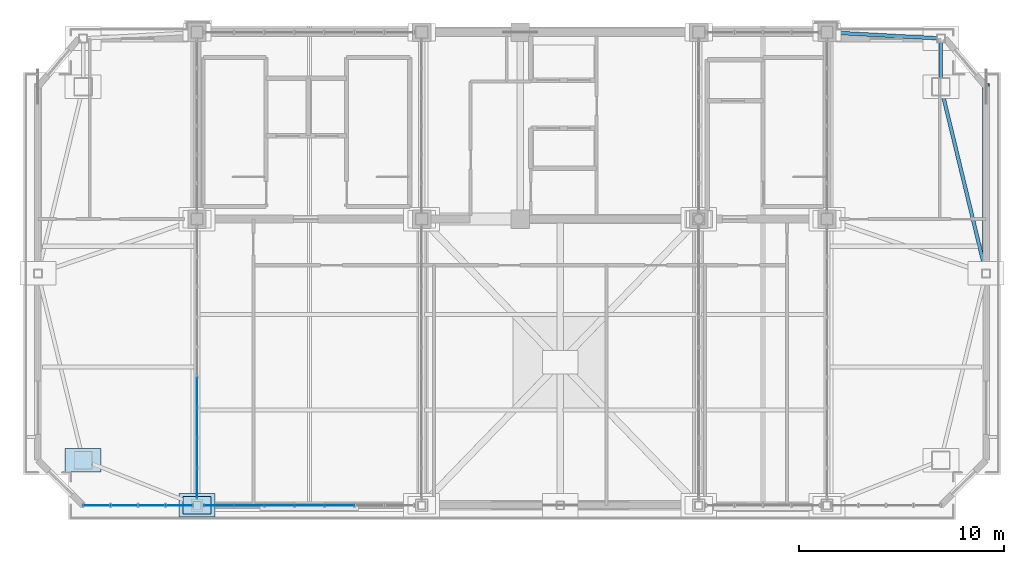
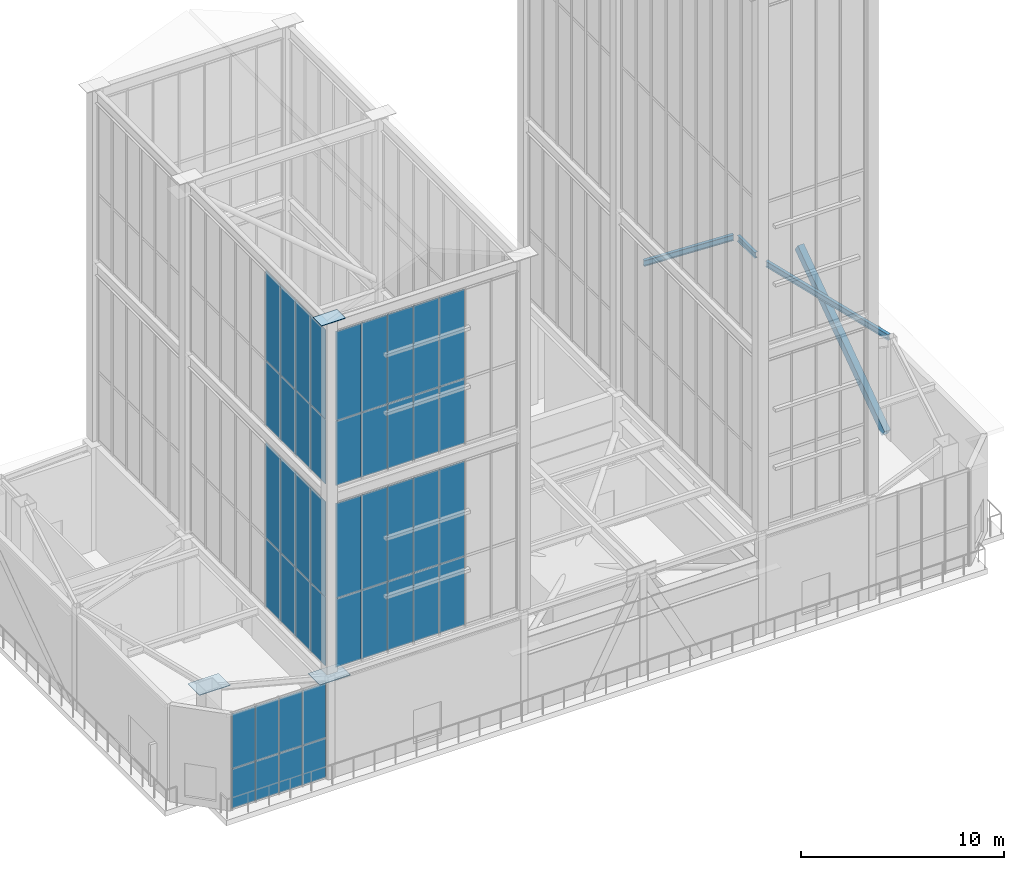
# One storey, part 123 of 135: 47 plates, 3 beams, 1 member, 5 elements without a shape of their own.
"""IFC4 building model written with IfcOpenShell, lengths in metres."""

import ifcopenshell
import ifcopenshell.guid

model = None  # the IFC model being written
_history = None  # IfcOwnerHistory: only IFC2X3 demands one
_inside = {}  # id of a spatial element -> (the spatial element, [elements in it])
_under = {}  # id of a project, library or spatial element -> (it, [spatial elements below it])
_declared = {}  # id of a project -> (the project, [libraries it declares])
_typed = {}  # id of a type object -> (the type object, [elements of that type])
_made_of = {}  # id of a material, layer set ... -> (it, [elements and type objects made of it])


def new_model(schema):
    """Start an empty IFC model of exactly this schema.

    Asked for "IFC4X3", IfcOpenShell would pick the latest addendum, in which some entities
    have other attributes; the version numbers below select the first issue.
    IFC2X3 requires an IfcOwnerHistory on every rooted entity: one is made here for all.
    """
    global model, _history
    if schema == "IFC4X3":
        model = ifcopenshell.file(schema_version=(4, 3, 0, 0))
    else:
        model = ifcopenshell.file(schema=schema)
    _inside.clear()
    _under.clear()
    _declared.clear()
    _typed.clear()
    _made_of.clear()
    _history = None
    if model.schema == "IFC2X3":
        org = make("IfcOrganization", Name="unknown")
        user = make(
            "IfcPersonAndOrganization",
            ThePerson=make("IfcPerson", FamilyName="unknown"),
            TheOrganization=org,
        )
        app = make(
            "IfcApplication",
            ApplicationDeveloper=org,
            Version="unknown",
            ApplicationFullName="unknown",
            ApplicationIdentifier="unknown",
        )
        _history = make(
            "IfcOwnerHistory",
            OwningUser=user,
            OwningApplication=app,
            ChangeAction="ADDED",
            CreationDate=0,
        )
    return model


def make(cls, **values):
    """One entity of the class cls with the attributes given. An attribute that is None is left unset."""
    return model.create_entity(
        cls, **{name: value for name, value in values.items() if value is not None}
    )


def rooted(cls, **values):
    """An entity with a GlobalId (a new one), such as an element, a storey or a relation."""
    return make(cls, GlobalId=ifcopenshell.guid.new(), OwnerHistory=_history, **values)


def si_unit(unit_type, name, prefix=None):
    """IfcSIUnit, for example si_unit("LENGTHUNIT", "METRE", prefix="MILLI")."""
    return make("IfcSIUnit", UnitType=unit_type, Prefix=prefix, Name=name)


def assignment(units):
    """IfcUnitAssignment: the units of a project."""
    return None if units is None else make("IfcUnitAssignment", Units=units)


def point(xyz):
    """IfcCartesianPoint."""
    return None if xyz is None else make("IfcCartesianPoint", Coordinates=xyz)


def direction(xyz):
    """IfcDirection."""
    return None if xyz is None else make("IfcDirection", DirectionRatios=xyz)


def frame(location, z_axis=None, x_axis=None):
    """IfcAxis2Placement3D, a coordinate frame: its origin and axes. An axis left out is left unset."""
    return make(
        "IfcAxis2Placement3D",
        Location=point(location),
        Axis=direction(z_axis),
        RefDirection=direction(x_axis),
    )


def frame_2d(location, x_axis=None):
    """IfcAxis2Placement2D, a coordinate frame in the plane: its origin and x axis."""
    return make(
        "IfcAxis2Placement2D", Location=point(location), RefDirection=direction(x_axis)
    )


def origin():
    """The frame at (0, 0, 0) with its axes left unset."""
    return frame((0.0, 0.0, 0.0))


def origin_2d():
    """The frame at (0, 0) in the plane with its x axis left unset."""
    return frame_2d((0.0, 0.0))


def place(relative_to, where):
    """IfcLocalPlacement: puts the frame where relative to a parent placement (None: the world)."""
    return make(
        "IfcLocalPlacement", PlacementRelTo=relative_to, RelativePlacement=where
    )


def context(
    kind, dimensions, precision=None, world=None, true_north=None, identifier=None
):
    """IfcGeometricRepresentationContext, for example the 3D "Model" context."""
    return make(
        "IfcGeometricRepresentationContext",
        ContextIdentifier=identifier,
        ContextType=kind,
        CoordinateSpaceDimension=dimensions,
        Precision=precision,
        WorldCoordinateSystem=world,
        TrueNorth=true_north,
    )


def subcontext(parent, identifier, kind, view, scale=None):
    """IfcGeometricRepresentationSubContext, for example "Body" below "Model"."""
    return make(
        "IfcGeometricRepresentationSubContext",
        ContextIdentifier=identifier,
        ContextType=kind,
        ParentContext=parent,
        TargetScale=scale,
        TargetView=view,
    )


def project(units=None, contexts=None):
    """IfcProject with its units and contexts."""
    return rooted(
        "IfcProject",
        Name="project",
        RepresentationContexts=contexts,
        UnitsInContext=assignment(units),
    )


def spatial(cls, under=None, at=None, **own):
    """A site, building, storey or space (cls), placed at a placement, below another one or the project."""
    s = rooted(cls, ObjectPlacement=at, **own)
    if under is not None:
        _under.setdefault(under.id(), (under, []))[1].append(s)
    return s


def profile(cls, at=None, kind="AREA", **sizes):
    """A parametric profile (cls). Its sizes go by their IFC names, for example OverallWidth=200.0."""
    return make(cls, ProfileType=kind, Position=at, **sizes)


def rectangle(**sizes):
    """IfcRectangleProfileDef."""
    return profile("IfcRectangleProfileDef", **sizes)


def hollow_rectangle(**sizes):
    """IfcRectangleHollowProfileDef."""
    return profile("IfcRectangleHollowProfileDef", **sizes)


def i_section(**sizes):
    """IfcIShapeProfileDef."""
    return profile("IfcIShapeProfileDef", **sizes)


def extrude(swept, where, along, depth):
    """IfcExtrudedAreaSolid: the profile swept, set in the frame where, extruded along a direction by depth."""
    return make(
        "IfcExtrudedAreaSolid",
        SweptArea=swept,
        Position=where,
        ExtrudedDirection=direction(along),
        Depth=depth,
    )


def shape(context_of_items, identifier, shape_type, items):
    """IfcShapeRepresentation: the items that make up one representation, for example the "Body"."""
    return make(
        "IfcShapeRepresentation",
        ContextOfItems=context_of_items,
        RepresentationIdentifier=identifier,
        RepresentationType=shape_type,
        Items=items,
    )


def source(mapping_origin, context_of_items, identifier, shape_type, items):
    """IfcRepresentationMap: a shape defined once, which mapped items show again and again."""
    return make(
        "IfcRepresentationMap",
        MappingOrigin=mapping_origin,
        MappedRepresentation=shape(context_of_items, identifier, shape_type, items),
    )


def transform(
    local_origin,
    x_axis=None,
    y_axis=None,
    z_axis=None,
    scale=None,
    scale2=None,
    scale3=None,
    uniform=True,
):
    """IfcCartesianTransformationOperator3D, or its non-uniform kind. x_axis, y_axis, z_axis: its Axis1, 2, 3."""
    if uniform:
        return make(
            "IfcCartesianTransformationOperator3D",
            Axis1=direction(x_axis),
            Axis2=direction(y_axis),
            LocalOrigin=point(local_origin),
            Scale=scale,
            Axis3=direction(z_axis),
        )
    return make(
        "IfcCartesianTransformationOperator3DnonUniform",
        Axis1=direction(x_axis),
        Axis2=direction(y_axis),
        LocalOrigin=point(local_origin),
        Scale=scale,
        Axis3=direction(z_axis),
        Scale2=scale2,
        Scale3=scale3,
    )


def mapped(mapping_source, mapping_target):
    """IfcMappedItem: shows the shape of a source again, moved by a transform."""
    return make(
        "IfcMappedItem", MappingSource=mapping_source, MappingTarget=mapping_target
    )


def material(Name=None, Category=None):
    """IfcMaterial."""
    return make("IfcMaterial", Name=Name, Category=Category)


def layer(
    of_material, thickness, ventilated=None, Name=None, Category=None, Priority=None
):
    """IfcMaterialLayer: one layer of a wall or slab, of a material (None: an air gap)."""
    return make(
        "IfcMaterialLayer",
        Material=of_material,
        LayerThickness=thickness,
        IsVentilated=ventilated,
        Name=Name,
        Category=Category,
        Priority=Priority,
    )


def layer_set(layers, Name=None):
    """IfcMaterialLayerSet."""
    return make("IfcMaterialLayerSet", MaterialLayers=layers, LayerSetName=Name)


def material_profile(
    of_material, cross_section, Name=None, Category=None, Priority=None
):
    """IfcMaterialProfile: a cross section and its material."""
    return make(
        "IfcMaterialProfile",
        Name=Name,
        Material=of_material,
        Profile=cross_section,
        Priority=Priority,
        Category=Category,
    )


def profile_set(profiles, Name=None, composite=None):
    """IfcMaterialProfileSet."""
    return make(
        "IfcMaterialProfileSet",
        Name=Name,
        MaterialProfiles=profiles,
        CompositeProfile=composite,
    )


def made_of(thing, what):
    """Note that an element or type object is made of a material, layer set ...; save() writes the relation."""
    if what is not None:
        _made_of.setdefault(what.id(), (what, []))[1].append(thing)
    return thing


def type_object(cls, material=None, **own):
    """A type object (cls), such as IfcWallType, which elements share."""
    return made_of(rooted(cls, **own), material)


def element(
    cls,
    number,
    at=None,
    inside=None,
    cuts=None,
    type_object=None,
    material=None,
    context=None,
    identifier="Body",
    shape_type=None,
    held_by="IfcProductDefinitionShape",
    body=None,
    shapes=None,
    **own,
):
    """One element of the class cls, such as IfcWall. Its Tag is "e" and its number.

    at: its placement. inside: the storey or other place that contains it. cuts: it is an
    opening in that element (IfcRelVoidsElement). A single representation is given by context,
    identifier, shape_type and body (its items); several are given by shapes. held_by: the class
    of the entity that holds the representations. save() writes the other relations.
    """
    e = rooted(cls, Tag="e%d" % number, ObjectPlacement=at, **own)
    if body is not None:
        shapes = [shape(context, identifier, shape_type, body)]
    if shapes is not None:
        e.Representation = make(held_by, Representations=shapes)
    if inside is not None:
        _inside.setdefault(inside.id(), (inside, []))[1].append(e)
    if cuts is not None:
        rooted(
            "IfcRelVoidsElement", RelatingBuildingElement=cuts, RelatedOpeningElement=e
        )
    if type_object is not None:
        _typed.setdefault(type_object.id(), (type_object, []))[1].append(e)
    return made_of(e, material)


def aggregate(whole, parts):
    """IfcRelAggregates: a whole, such as a stair, and the parts it consists of."""
    return rooted("IfcRelAggregates", RelatingObject=whole, RelatedObjects=parts)


def save(model, path):
    """Write the relations noted so far, then the file.

    IfcRelAggregates (storeys below a building ...), IfcRelContainedInSpatialStructure (elements
    in a storey), IfcRelDefinesByType, IfcRelAssociatesMaterial and IfcRelDeclares: one each for
    every whole, place, type object, material and project.
    """
    for whole, parts in _under.values():
        aggregate(whole, parts)
    for where, things in _inside.values():
        rooted(
            "IfcRelContainedInSpatialStructure",
            RelatedElements=things,
            RelatingStructure=where,
        )
    for kind, things in _typed.values():
        rooted("IfcRelDefinesByType", RelatedObjects=things, RelatingType=kind)
    for what, things in _made_of.values():
        rooted("IfcRelAssociatesMaterial", RelatedObjects=things, RelatingMaterial=what)
    for by, libraries in _declared.values():
        rooted("IfcRelDeclares", RelatingContext=by, RelatedDefinitions=libraries)
    model.write(path)


model = new_model("IFC4")

# Units and contexts
model_context = context("Model", 3, precision=1e-05, world=origin(), true_north=direction((0.0, 1.0)))
body_context = subcontext(model_context, "Body", "Model", "MODEL_VIEW")
ifc_project = project(units=[si_unit("LENGTHUNIT", "METRE"), si_unit("AREAUNIT", "SQUARE_METRE"), si_unit("VOLUMEUNIT", "CUBIC_METRE"), si_unit("PLANEANGLEUNIT", "RADIAN"), si_unit("MASSUNIT", "GRAM", prefix="KILO")], contexts=[model_context])

# Site, building, storey
site_placement = place(None, origin())
site = spatial("IfcSite", under=ifc_project, at=site_placement, CompositionType="ELEMENT")
building_placement = place(site_placement, origin())
building = spatial("IfcBuilding", under=site, at=building_placement, Name="Giltprow Tower", CompositionType="ELEMENT")
storey_placement = place(building_placement, frame((0.0, 0.0, 352.699951171875)))
storey = spatial("IfcBuildingStorey", under=building, at=storey_placement, Name="L92", CompositionType="ELEMENT", Elevation=352.699951171875)

# Beams
ifc_material_1 = material(Name="Structural steel Q355B", Category="steel")
ifc_material_profile_1 = material_profile(ifc_material_1, i_section(OverallWidth=0.175048828125, OverallDepth=0.35009765625, WebThickness=0.007080078125, FlangeThickness=0.010986328125, at=origin_2d()), Name="HN 350x175x7x11")
ifc_profile_set_1 = profile_set([ifc_material_profile_1], Name="Structural steel Q355B")
beam_type = type_object("IfcBeamType", Name="BM-SPAN-HN350", PredefinedType="SPANDREL", material=ifc_profile_set_1)
shared_shape_1 = source(origin(), body_context, "Body", "SweptSolid", [
    extrude(i_section(OverallWidth=0.175048828125, OverallDepth=0.35009765625, WebThickness=0.007080078125, FlangeThickness=0.010986328125, at=origin_2d()), origin(), (0.0, 0.0, 1.0), 8.7421875),
])
beam_1_placement = place(storey_placement, frame((58.257080078125, 34.97998046875, 5.985107421875), z_axis=(-0.235090039637, 0.971973596999, 0.0), x_axis=(-0.971973596999, -0.235090039637, 0.0)))
element("IfcBeam", 1, at=beam_1_placement, inside=storey, type_object=beam_type, Name="L92 Perimeter Spandrel Beam E_MID-MC_NE", PredefinedType="SPANDREL", context=body_context, shape_type="MappedRepresentation", body=[
    mapped(shared_shape_1, transform((0.0, 0.0, 0.0), x_axis=(1.0, 0.0, 0.0), y_axis=(0.0, 1.0, 0.0), z_axis=(0.0, 0.0, 1.0), scale=1.0)),
])
shared_shape_2 = source(origin(), body_context, "Body", "SweptSolid", [
    extrude(i_section(OverallWidth=0.175048828125, OverallDepth=0.35009765625, WebThickness=0.007080078125, FlangeThickness=0.010986328125, at=origin_2d()), origin(), (0.0, 0.0, 1.0), 1.72998046875),
])
beam_2_placement = place(storey_placement, frame((56.10009765625, 44.3349609375, 5.985107421875), z_axis=(0.0, 1.0, 0.0), x_axis=(-1.0, 0.0, 0.0)))
element("IfcBeam", 2, at=beam_2_placement, inside=storey, type_object=beam_type, Name="L92 Perimeter Spandrel Beam MC_NE-N_E", PredefinedType="SPANDREL", context=body_context, shape_type="MappedRepresentation", body=[
    mapped(shared_shape_2, transform((0.0, 0.0, 0.0), x_axis=(1.0, 0.0, 0.0), y_axis=(0.0, 1.0, 0.0), z_axis=(0.0, 0.0, 1.0), scale=1.0)),
])
shared_shape_3 = source(origin(), body_context, "Body", "SweptSolid", [
    extrude(i_section(OverallWidth=0.175048828125, OverallDepth=0.35009765625, WebThickness=0.007080078125, FlangeThickness=0.010986328125, at=origin_2d()), origin(), (0.0, 0.0, 1.0), 4.9384765625),
])
beam_3_placement = place(storey_placement, frame((50.98388671875, 46.527099609375, 5.985107421875), z_axis=(0.99853636218, -0.054084502437, 0.0), x_axis=(0.054084502437, 0.99853636218, 0.0)))
element("IfcBeam", 3, at=beam_3_placement, inside=storey, type_object=beam_type, Name="L92 North Wing Spandrel E", PredefinedType="SPANDREL", context=body_context, shape_type="MappedRepresentation", body=[
    mapped(shared_shape_3, transform((0.0, 0.0, 0.0), x_axis=(1.0, 0.0, 0.0), y_axis=(0.0, 1.0, 0.0), z_axis=(0.0, 0.0, 1.0), scale=1.0)),
])

# Member
ifc_material_2 = material(Name="Structural steel Q420GJC", Category="steel")
ifc_material_profile_2 = material_profile(ifc_material_2, hollow_rectangle(XDim=0.35009765625, YDim=0.5, WallThickness=0.02392578125, at=origin_2d()), Name="RHS 500x350x24")
ifc_profile_set_2 = profile_set([ifc_material_profile_2], Name="Structural steel Q420GJC")
member_type = type_object("IfcMemberType", Name="MBR-MEGA-RHS500", PredefinedType="BRACE", material=ifc_profile_set_2)
shared_shape_4 = source(origin(), body_context, "Body", "SweptSolid", [
    extrude(hollow_rectangle(XDim=0.35009765625, YDim=0.5, WallThickness=0.02392578125, at=origin_2d()), origin(), (0.0, 0.0, 1.0), 10.4296875),
])
member_placement = place(storey_placement, frame((58.300048828125, 35.368896484375, 0.0), z_axis=(0.0, 0.817955324375, 0.575281746039), x_axis=(-1.0, 0.0, 0.0)))
element("IfcMember", 4, at=member_placement, inside=storey, type_object=member_type, Name="L92 Chevron Mega-Brace E-D", PredefinedType="BRACE", context=body_context, shape_type="MappedRepresentation", body=[
    mapped(shared_shape_4, transform((0.0, 0.0, 0.0), x_axis=(1.0, 0.0, 0.0), y_axis=(0.0, 1.0, 0.0), z_axis=(0.0, 0.0, 1.0), scale=1.0)),
])

# Plates
plate_type_1 = type_object("IfcPlateType", Name="PLT-CAP-SEAL-INT", PredefinedType="USERDEFINED", material=ifc_material_2)
shared_shape_5 = source(origin(), body_context, "Body", "SweptSolid", [
    extrude(rectangle(XDim=1.75, YDim=1.14990234375, at=origin_2d()), origin(), (0.0, 0.0, 1.0), 0.0400390625),
])
for number, where, z_axis, x_axis, name in (
    (5, (14.300048828125, 25.699951171875, 6.14013671875), (0.0, 0.0, 1.0), (1.0, 0.0, 0.0), "L92 Column Top Seal Plate MC_SW"),
    (6, (19.85009765625, 23.5, 6.14013671875), (0.0, 0.0, 1.0), (1.0, 0.0, 0.0), "L92 Column Top Seal Plate S1"),
):
    element("IfcPlate", number, at=place(storey_placement, frame(where, z_axis=z_axis, x_axis=x_axis)), inside=storey, type_object=plate_type_1, Name=name, ObjectType="SPLICE", PredefinedType="USERDEFINED", context=body_context, shape_type="MappedRepresentation", body=[
        mapped(shared_shape_5, transform((0.0, 0.0, 0.0), x_axis=(1.0, 0.0, 0.0), y_axis=(0.0, 1.0, 0.0), z_axis=(0.0, 0.0, 1.0), scale=1.0)),
    ])
plate_type_2 = type_object("IfcPlateType", Name="PLT-NODE-CRN1", PredefinedType="USERDEFINED", material=ifc_material_2)
shared_shape_6 = source(origin(), body_context, "Body", "SweptSolid", [
    extrude(rectangle(XDim=1.35009765625, YDim=0.85009765625, at=origin_2d()), origin(), (0.0, 0.0, 1.0), 0.035888671875),
])
plate_1_placement = place(storey_placement, frame((19.85009765625, 23.5, 27.529296875), z_axis=(0.0, 0.0, 1.0), x_axis=(1.0, 0.0, 0.0)))
element("IfcPlate", 7, at=plate_1_placement, inside=storey, type_object=plate_type_2, Name="CRN1 Crown Frame Ring Node WEST-1", ObjectType="SPLICE", PredefinedType="USERDEFINED", context=body_context, shape_type="MappedRepresentation", body=[
    mapped(shared_shape_6, transform((0.0, 0.0, 0.0), x_axis=(1.0, 0.0, 0.0), y_axis=(0.0, 1.0, 0.0), z_axis=(0.0, 0.0, 1.0), scale=1.0)),
])

# Curtain wall, plates
ifc_material_3 = material(Name="Anodized bronze", Category="metal")
ifc_layer = layer(ifc_material_3, 0.179931640625, Name="Anodized bronze")
ifc_layer_set = layer_set([ifc_layer], Name="Anodized bronze")
curtain_wall_type = type_object("IfcCurtainWallType", Name="CW-CROWN-LANTERN", PredefinedType="NOTDEFINED", material=ifc_layer_set)
curtain_wall_1_placement = place(storey_placement, origin())
curtain_wall_1 = element("IfcCurtainWall", 8, at=curtain_wall_1_placement, inside=storey, type_object=curtain_wall_type, Name="L92 South Recessed Curtain Wall 1", PredefinedType="NOTDEFINED")
ifc_material_4 = material(Name="Insulated glass", Category="glass")
plate_type_3 = type_object("IfcPlateType", Name="CW-PANEL-IGU-28", PredefinedType="CURTAIN_PANEL", material=ifc_material_4)
shared_shape_7 = source(origin(), body_context, "Body", "SweptSolid", [
    extrude(rectangle(XDim=1.306884765625, YDim=0.028076171875, at=origin_2d()), origin(), (0.0, 0.0, 1.0), 2.364013671875),
])
plate_2_placement = place(storey_placement, frame((14.968994140625, 23.5, 0.05419921875), z_axis=(0.0, 0.0, 1.0), x_axis=(1.0, 0.0, 0.0)))
plate_2 = element("IfcPlate", 9, at=plate_2_placement, type_object=plate_type_3, Name="L92 South Recessed Curtain Wall 1 Glazing Panel 1-1", PredefinedType="CURTAIN_PANEL", context=body_context, shape_type="MappedRepresentation", body=[
    mapped(shared_shape_7, transform((0.0, 0.0, 0.0), x_axis=(1.0, 0.0, 0.0), y_axis=(0.0, 1.0, 0.0), z_axis=(0.0, 0.0, 1.0), scale=1.0)),
])
plate_3_placement = place(storey_placement, frame((16.305908203125, 23.5, 0.05419921875), z_axis=(0.0, 0.0, 1.0), x_axis=(1.0, 0.0, 0.0)))
plate_3 = element("IfcPlate", 10, at=plate_3_placement, type_object=plate_type_3, Name="L92 South Recessed Curtain Wall 1 Glazing Panel 2-1", PredefinedType="CURTAIN_PANEL", context=body_context, shape_type="MappedRepresentation", body=[
    mapped(shared_shape_7, transform((0.0, 0.0, 0.0), x_axis=(1.0, 0.0, 0.0), y_axis=(0.0, 1.0, 0.0), z_axis=(0.0, 0.0, 1.0), scale=1.0)),
])
plate_4_placement = place(storey_placement, frame((17.64404296875, 23.5, 0.05419921875), z_axis=(0.0, 0.0, 1.0), x_axis=(1.0, 0.0, 0.0)))
plate_4 = element("IfcPlate", 11, at=plate_4_placement, type_object=plate_type_3, Name="L92 South Recessed Curtain Wall 1 Glazing Panel 3-1", PredefinedType="CURTAIN_PANEL", context=body_context, shape_type="MappedRepresentation", body=[
    mapped(shared_shape_7, transform((0.0, 0.0, 0.0), x_axis=(1.0, 0.0, 0.0), y_axis=(0.0, 1.0, 0.0), z_axis=(0.0, 0.0, 1.0), scale=1.0)),
])
plate_5_placement = place(storey_placement, frame((18.98095703125, 23.5, 0.05419921875), z_axis=(0.0, 0.0, 1.0), x_axis=(1.0, 0.0, 0.0)))
plate_5 = element("IfcPlate", 12, at=plate_5_placement, type_object=plate_type_3, Name="L92 South Recessed Curtain Wall 1 Glazing Panel 4-1", PredefinedType="CURTAIN_PANEL", context=body_context, shape_type="MappedRepresentation", body=[
    mapped(shared_shape_7, transform((0.0, 0.0, 0.0), x_axis=(1.0, 0.0, 0.0), y_axis=(0.0, 1.0, 0.0), z_axis=(0.0, 0.0, 1.0), scale=1.0)),
])
shared_shape_8 = source(origin(), body_context, "Body", "SweptSolid", [
    extrude(rectangle(XDim=1.306884765625, YDim=0.028076171875, at=origin_2d()), origin(), (0.0, 0.0, 1.0), 3.2900390625),
])
plate_6_placement = place(storey_placement, frame((14.968994140625, 23.5, 2.446044921875), z_axis=(0.0, 0.0, 1.0), x_axis=(1.0, 0.0, 0.0)))
plate_6 = element("IfcPlate", 13, at=plate_6_placement, type_object=plate_type_3, Name="L92 South Recessed Curtain Wall 1 Glazing Panel 1-2", PredefinedType="CURTAIN_PANEL", context=body_context, shape_type="MappedRepresentation", body=[
    mapped(shared_shape_8, transform((0.0, 0.0, 0.0), x_axis=(1.0, 0.0, 0.0), y_axis=(0.0, 1.0, 0.0), z_axis=(0.0, 0.0, 1.0), scale=1.0)),
])
plate_7_placement = place(storey_placement, frame((16.305908203125, 23.5, 2.446044921875), z_axis=(0.0, 0.0, 1.0), x_axis=(1.0, 0.0, 0.0)))
plate_7 = element("IfcPlate", 14, at=plate_7_placement, type_object=plate_type_3, Name="L92 South Recessed Curtain Wall 1 Glazing Panel 2-2", PredefinedType="CURTAIN_PANEL", context=body_context, shape_type="MappedRepresentation", body=[
    mapped(shared_shape_8, transform((0.0, 0.0, 0.0), x_axis=(1.0, 0.0, 0.0), y_axis=(0.0, 1.0, 0.0), z_axis=(0.0, 0.0, 1.0), scale=1.0)),
])
plate_8_placement = place(storey_placement, frame((17.64404296875, 23.5, 2.446044921875), z_axis=(0.0, 0.0, 1.0), x_axis=(1.0, 0.0, 0.0)))
plate_8 = element("IfcPlate", 15, at=plate_8_placement, type_object=plate_type_3, Name="L92 South Recessed Curtain Wall 1 Glazing Panel 3-2", PredefinedType="CURTAIN_PANEL", context=body_context, shape_type="MappedRepresentation", body=[
    mapped(shared_shape_8, transform((0.0, 0.0, 0.0), x_axis=(1.0, 0.0, 0.0), y_axis=(0.0, 1.0, 0.0), z_axis=(0.0, 0.0, 1.0), scale=1.0)),
])
plate_9_placement = place(storey_placement, frame((18.98095703125, 23.5, 2.446044921875), z_axis=(0.0, 0.0, 1.0), x_axis=(1.0, 0.0, 0.0)))
plate_9 = element("IfcPlate", 16, at=plate_9_placement, type_object=plate_type_3, Name="L92 South Recessed Curtain Wall 1 Glazing Panel 4-2", PredefinedType="CURTAIN_PANEL", context=body_context, shape_type="MappedRepresentation", body=[
    mapped(shared_shape_8, transform((0.0, 0.0, 0.0), x_axis=(1.0, 0.0, 0.0), y_axis=(0.0, 1.0, 0.0), z_axis=(0.0, 0.0, 1.0), scale=1.0)),
])
aggregate(curtain_wall_1, [plate_2, plate_6, plate_3, plate_7, plate_4, plate_8, plate_5, plate_9])

curtain_wall_2_placement = place(storey_placement, origin())
curtain_wall_2 = element("IfcCurtainWall", 17, at=curtain_wall_2_placement, inside=storey, type_object=curtain_wall_type, Name="Crown West Lower Lantern Glazing 1", PredefinedType="NOTDEFINED")
shared_shape_9 = source(origin(), body_context, "Body", "SweptSolid", [
    extrude(rectangle(XDim=1.43408203125, YDim=0.028076171875, at=origin_2d()), origin(), (0.0, 0.0, 1.0), 4.111083984375),
])
plate_10_placement = place(storey_placement, frame((20.931884765625, 23.5, 6.45361328125), z_axis=(0.0, 0.0, 1.0), x_axis=(1.0, 0.0, 0.0)))
plate_10 = element("IfcPlate", 18, at=plate_10_placement, type_object=plate_type_3, Name="Crown West Lower Lantern Glazing 1 Glazing Panel 1-1", PredefinedType="CURTAIN_PANEL", context=body_context, shape_type="MappedRepresentation", body=[
    mapped(shared_shape_9, transform((0.0, 0.0, 0.0), x_axis=(1.0, 0.0, 0.0), y_axis=(0.0, 1.0, 0.0), z_axis=(0.0, 0.0, 1.0), scale=1.0)),
])
plate_11_placement = place(storey_placement, frame((22.39599609375, 23.5, 6.45361328125), z_axis=(0.0, 0.0, 1.0), x_axis=(1.0, 0.0, 0.0)))
plate_11 = element("IfcPlate", 19, at=plate_11_placement, type_object=plate_type_3, Name="Crown West Lower Lantern Glazing 1 Glazing Panel 2-1", PredefinedType="CURTAIN_PANEL", context=body_context, shape_type="MappedRepresentation", body=[
    mapped(shared_shape_9, transform((0.0, 0.0, 0.0), x_axis=(1.0, 0.0, 0.0), y_axis=(0.0, 1.0, 0.0), z_axis=(0.0, 0.0, 1.0), scale=1.0)),
])
plate_12_placement = place(storey_placement, frame((23.861083984375, 23.5, 6.45361328125), z_axis=(0.0, 0.0, 1.0), x_axis=(1.0, 0.0, 0.0)))
plate_12 = element("IfcPlate", 20, at=plate_12_placement, type_object=plate_type_3, Name="Crown West Lower Lantern Glazing 1 Glazing Panel 3-1", PredefinedType="CURTAIN_PANEL", context=body_context, shape_type="MappedRepresentation", body=[
    mapped(shared_shape_9, transform((0.0, 0.0, 0.0), x_axis=(1.0, 0.0, 0.0), y_axis=(0.0, 1.0, 0.0), z_axis=(0.0, 0.0, 1.0), scale=1.0)),
])
plate_13_placement = place(storey_placement, frame((25.324951171875, 23.5, 6.45361328125), z_axis=(0.0, 0.0, 1.0), x_axis=(1.0, 0.0, 0.0)))
plate_13 = element("IfcPlate", 21, at=plate_13_placement, type_object=plate_type_3, Name="Crown West Lower Lantern Glazing 1 Glazing Panel 4-1", PredefinedType="CURTAIN_PANEL", context=body_context, shape_type="MappedRepresentation", body=[
    mapped(shared_shape_9, transform((0.0, 0.0, 0.0), x_axis=(1.0, 0.0, 0.0), y_axis=(0.0, 1.0, 0.0), z_axis=(0.0, 0.0, 1.0), scale=1.0)),
])
plate_14_placement = place(storey_placement, frame((26.7890625, 23.5, 6.45361328125), z_axis=(0.0, 0.0, 1.0), x_axis=(1.0, 0.0, 0.0)))
plate_14 = element("IfcPlate", 22, at=plate_14_placement, type_object=plate_type_3, Name="Crown West Lower Lantern Glazing 1 Glazing Panel 5-1", PredefinedType="CURTAIN_PANEL", context=body_context, shape_type="MappedRepresentation", body=[
    mapped(shared_shape_9, transform((0.0, 0.0, 0.0), x_axis=(1.0, 0.0, 0.0), y_axis=(0.0, 1.0, 0.0), z_axis=(0.0, 0.0, 1.0), scale=1.0)),
])
shared_shape_10 = source(origin(), body_context, "Body", "SweptSolid", [
    extrude(rectangle(XDim=1.43408203125, YDim=0.028076171875, at=origin_2d()), origin(), (0.0, 0.0, 1.0), 5.702880859375),
])
plate_15_placement = place(storey_placement, frame((20.931884765625, 23.5, 10.5927734375), z_axis=(0.0, 0.0, 1.0), x_axis=(1.0, 0.0, 0.0)))
plate_15 = element("IfcPlate", 23, at=plate_15_placement, type_object=plate_type_3, Name="Crown West Lower Lantern Glazing 1 Glazing Panel 1-2", PredefinedType="CURTAIN_PANEL", context=body_context, shape_type="MappedRepresentation", body=[
    mapped(shared_shape_10, transform((0.0, 0.0, 0.0), x_axis=(1.0, 0.0, 0.0), y_axis=(0.0, 1.0, 0.0), z_axis=(0.0, 0.0, 1.0), scale=1.0)),
])
plate_16_placement = place(storey_placement, frame((22.39599609375, 23.5, 10.5927734375), z_axis=(0.0, 0.0, 1.0), x_axis=(1.0, 0.0, 0.0)))
plate_16 = element("IfcPlate", 24, at=plate_16_placement, type_object=plate_type_3, Name="Crown West Lower Lantern Glazing 1 Glazing Panel 2-2", PredefinedType="CURTAIN_PANEL", context=body_context, shape_type="MappedRepresentation", body=[
    mapped(shared_shape_10, transform((0.0, 0.0, 0.0), x_axis=(1.0, 0.0, 0.0), y_axis=(0.0, 1.0, 0.0), z_axis=(0.0, 0.0, 1.0), scale=1.0)),
])
plate_17_placement = place(storey_placement, frame((23.861083984375, 23.5, 10.5927734375), z_axis=(0.0, 0.0, 1.0), x_axis=(1.0, 0.0, 0.0)))
plate_17 = element("IfcPlate", 25, at=plate_17_placement, type_object=plate_type_3, Name="Crown West Lower Lantern Glazing 1 Glazing Panel 3-2", PredefinedType="CURTAIN_PANEL", context=body_context, shape_type="MappedRepresentation", body=[
    mapped(shared_shape_10, transform((0.0, 0.0, 0.0), x_axis=(1.0, 0.0, 0.0), y_axis=(0.0, 1.0, 0.0), z_axis=(0.0, 0.0, 1.0), scale=1.0)),
])
plate_18_placement = place(storey_placement, frame((25.324951171875, 23.5, 10.5927734375), z_axis=(0.0, 0.0, 1.0), x_axis=(1.0, 0.0, 0.0)))
plate_18 = element("IfcPlate", 26, at=plate_18_placement, type_object=plate_type_3, Name="Crown West Lower Lantern Glazing 1 Glazing Panel 4-2", PredefinedType="CURTAIN_PANEL", context=body_context, shape_type="MappedRepresentation", body=[
    mapped(shared_shape_10, transform((0.0, 0.0, 0.0), x_axis=(1.0, 0.0, 0.0), y_axis=(0.0, 1.0, 0.0), z_axis=(0.0, 0.0, 1.0), scale=1.0)),
])
plate_19_placement = place(storey_placement, frame((26.7890625, 23.5, 10.5927734375), z_axis=(0.0, 0.0, 1.0), x_axis=(1.0, 0.0, 0.0)))
plate_19 = element("IfcPlate", 27, at=plate_19_placement, type_object=plate_type_3, Name="Crown West Lower Lantern Glazing 1 Glazing Panel 5-2", PredefinedType="CURTAIN_PANEL", context=body_context, shape_type="MappedRepresentation", body=[
    mapped(shared_shape_10, transform((0.0, 0.0, 0.0), x_axis=(1.0, 0.0, 0.0), y_axis=(0.0, 1.0, 0.0), z_axis=(0.0, 0.0, 1.0), scale=1.0)),
])
aggregate(curtain_wall_2, [plate_10, plate_15, plate_11, plate_16, plate_12, plate_17, plate_13, plate_18, plate_14, plate_19])

curtain_wall_3_placement = place(storey_placement, origin())
curtain_wall_3 = element("IfcCurtainWall", 28, at=curtain_wall_3_placement, inside=storey, type_object=curtain_wall_type, Name="Crown West Upper Lantern Glazing 1", PredefinedType="NOTDEFINED")
shared_shape_11 = source(origin(), body_context, "Body", "SweptSolid", [
    extrude(rectangle(XDim=1.43408203125, YDim=0.028076171875, at=origin_2d()), origin(), (0.0, 0.0, 1.0), 3.865966796875),
])
plate_20_placement = place(storey_placement, frame((20.931884765625, 23.5, 17.35400390625), z_axis=(0.0, 0.0, 1.0), x_axis=(1.0, 0.0, 0.0)))
plate_20 = element("IfcPlate", 29, at=plate_20_placement, type_object=plate_type_3, Name="Crown West Upper Lantern Glazing 1 Glazing Panel 1-1", PredefinedType="CURTAIN_PANEL", context=body_context, shape_type="MappedRepresentation", body=[
    mapped(shared_shape_11, transform((0.0, 0.0, 0.0), x_axis=(1.0, 0.0, 0.0), y_axis=(0.0, 1.0, 0.0), z_axis=(0.0, 0.0, 1.0), scale=1.0)),
])
plate_21_placement = place(storey_placement, frame((22.39599609375, 23.5, 17.35400390625), z_axis=(0.0, 0.0, 1.0), x_axis=(1.0, 0.0, 0.0)))
plate_21 = element("IfcPlate", 30, at=plate_21_placement, type_object=plate_type_3, Name="Crown West Upper Lantern Glazing 1 Glazing Panel 2-1", PredefinedType="CURTAIN_PANEL", context=body_context, shape_type="MappedRepresentation", body=[
    mapped(shared_shape_11, transform((0.0, 0.0, 0.0), x_axis=(1.0, 0.0, 0.0), y_axis=(0.0, 1.0, 0.0), z_axis=(0.0, 0.0, 1.0), scale=1.0)),
])
plate_22_placement = place(storey_placement, frame((23.861083984375, 23.5, 17.35400390625), z_axis=(0.0, 0.0, 1.0), x_axis=(1.0, 0.0, 0.0)))
plate_22 = element("IfcPlate", 31, at=plate_22_placement, type_object=plate_type_3, Name="Crown West Upper Lantern Glazing 1 Glazing Panel 3-1", PredefinedType="CURTAIN_PANEL", context=body_context, shape_type="MappedRepresentation", body=[
    mapped(shared_shape_11, transform((0.0, 0.0, 0.0), x_axis=(1.0, 0.0, 0.0), y_axis=(0.0, 1.0, 0.0), z_axis=(0.0, 0.0, 1.0), scale=1.0)),
])
plate_23_placement = place(storey_placement, frame((25.324951171875, 23.5, 17.35400390625), z_axis=(0.0, 0.0, 1.0), x_axis=(1.0, 0.0, 0.0)))
plate_23 = element("IfcPlate", 32, at=plate_23_placement, type_object=plate_type_3, Name="Crown West Upper Lantern Glazing 1 Glazing Panel 4-1", PredefinedType="CURTAIN_PANEL", context=body_context, shape_type="MappedRepresentation", body=[
    mapped(shared_shape_11, transform((0.0, 0.0, 0.0), x_axis=(1.0, 0.0, 0.0), y_axis=(0.0, 1.0, 0.0), z_axis=(0.0, 0.0, 1.0), scale=1.0)),
])
plate_24_placement = place(storey_placement, frame((26.7890625, 23.5, 17.35400390625), z_axis=(0.0, 0.0, 1.0), x_axis=(1.0, 0.0, 0.0)))
plate_24 = element("IfcPlate", 33, at=plate_24_placement, type_object=plate_type_3, Name="Crown West Upper Lantern Glazing 1 Glazing Panel 5-1", PredefinedType="CURTAIN_PANEL", context=body_context, shape_type="MappedRepresentation", body=[
    mapped(shared_shape_11, transform((0.0, 0.0, 0.0), x_axis=(1.0, 0.0, 0.0), y_axis=(0.0, 1.0, 0.0), z_axis=(0.0, 0.0, 1.0), scale=1.0)),
])
shared_shape_12 = source(origin(), body_context, "Body", "SweptSolid", [
    extrude(rectangle(XDim=1.43408203125, YDim=0.028076171875, at=origin_2d()), origin(), (0.0, 0.0, 1.0), 5.364990234375),
])
plate_25_placement = place(storey_placement, frame((20.931884765625, 23.5, 21.24755859375), z_axis=(0.0, 0.0, 1.0), x_axis=(1.0, 0.0, 0.0)))
plate_25 = element("IfcPlate", 34, at=plate_25_placement, type_object=plate_type_3, Name="Crown West Upper Lantern Glazing 1 Glazing Panel 1-2", PredefinedType="CURTAIN_PANEL", context=body_context, shape_type="MappedRepresentation", body=[
    mapped(shared_shape_12, transform((0.0, 0.0, 0.0), x_axis=(1.0, 0.0, 0.0), y_axis=(0.0, 1.0, 0.0), z_axis=(0.0, 0.0, 1.0), scale=1.0)),
])
plate_26_placement = place(storey_placement, frame((22.39599609375, 23.5, 21.24755859375), z_axis=(0.0, 0.0, 1.0), x_axis=(1.0, 0.0, 0.0)))
plate_26 = element("IfcPlate", 35, at=plate_26_placement, type_object=plate_type_3, Name="Crown West Upper Lantern Glazing 1 Glazing Panel 2-2", PredefinedType="CURTAIN_PANEL", context=body_context, shape_type="MappedRepresentation", body=[
    mapped(shared_shape_12, transform((0.0, 0.0, 0.0), x_axis=(1.0, 0.0, 0.0), y_axis=(0.0, 1.0, 0.0), z_axis=(0.0, 0.0, 1.0), scale=1.0)),
])
plate_27_placement = place(storey_placement, frame((23.861083984375, 23.5, 21.24755859375), z_axis=(0.0, 0.0, 1.0), x_axis=(1.0, 0.0, 0.0)))
plate_27 = element("IfcPlate", 36, at=plate_27_placement, type_object=plate_type_3, Name="Crown West Upper Lantern Glazing 1 Glazing Panel 3-2", PredefinedType="CURTAIN_PANEL", context=body_context, shape_type="MappedRepresentation", body=[
    mapped(shared_shape_12, transform((0.0, 0.0, 0.0), x_axis=(1.0, 0.0, 0.0), y_axis=(0.0, 1.0, 0.0), z_axis=(0.0, 0.0, 1.0), scale=1.0)),
])
plate_28_placement = place(storey_placement, frame((25.324951171875, 23.5, 21.24755859375), z_axis=(0.0, 0.0, 1.0), x_axis=(1.0, 0.0, 0.0)))
plate_28 = element("IfcPlate", 37, at=plate_28_placement, type_object=plate_type_3, Name="Crown West Upper Lantern Glazing 1 Glazing Panel 4-2", PredefinedType="CURTAIN_PANEL", context=body_context, shape_type="MappedRepresentation", body=[
    mapped(shared_shape_12, transform((0.0, 0.0, 0.0), x_axis=(1.0, 0.0, 0.0), y_axis=(0.0, 1.0, 0.0), z_axis=(0.0, 0.0, 1.0), scale=1.0)),
])
plate_29_placement = place(storey_placement, frame((26.7890625, 23.5, 21.24755859375), z_axis=(0.0, 0.0, 1.0), x_axis=(1.0, 0.0, 0.0)))
plate_29 = element("IfcPlate", 38, at=plate_29_placement, type_object=plate_type_3, Name="Crown West Upper Lantern Glazing 1 Glazing Panel 5-2", PredefinedType="CURTAIN_PANEL", context=body_context, shape_type="MappedRepresentation", body=[
    mapped(shared_shape_12, transform((0.0, 0.0, 0.0), x_axis=(1.0, 0.0, 0.0), y_axis=(0.0, 1.0, 0.0), z_axis=(0.0, 0.0, 1.0), scale=1.0)),
])
aggregate(curtain_wall_3, [plate_20, plate_25, plate_21, plate_26, plate_22, plate_27, plate_23, plate_28, plate_24, plate_29])

curtain_wall_4_placement = place(storey_placement, origin())
curtain_wall_4 = element("IfcCurtainWall", 39, at=curtain_wall_4_placement, inside=storey, type_object=curtain_wall_type, Name="Crown West Lower Lantern Glazing 6", PredefinedType="NOTDEFINED")
shared_shape_13 = source(origin(), body_context, "Body", "SweptSolid", [
    extrude(rectangle(XDim=1.44189453125, YDim=0.028076171875, at=origin_2d()), origin(), (0.0, 0.0, 1.0), 4.111083984375),
])
plate_30_placement = place(storey_placement, frame((19.85009765625, 29.0029296875, 6.45361328125), z_axis=(0.0, 0.0, 1.0), x_axis=(0.0, -1.0, 0.0)))
plate_30 = element("IfcPlate", 40, at=plate_30_placement, type_object=plate_type_3, Name="Crown West Lower Lantern Glazing 6 Glazing Panel 6-1", PredefinedType="CURTAIN_PANEL", context=body_context, shape_type="MappedRepresentation", body=[
    mapped(shared_shape_13, transform((0.0, 0.0, 0.0), x_axis=(1.0, 0.0, 0.0), y_axis=(0.0, 1.0, 0.0), z_axis=(0.0, 0.0, 1.0), scale=1.0)),
])
plate_31_placement = place(storey_placement, frame((19.85009765625, 27.531005859375, 6.45361328125), z_axis=(0.0, 0.0, 1.0), x_axis=(0.0, -1.0, 0.0)))
plate_31 = element("IfcPlate", 41, at=plate_31_placement, type_object=plate_type_3, Name="Crown West Lower Lantern Glazing 6 Glazing Panel 7-1", PredefinedType="CURTAIN_PANEL", context=body_context, shape_type="MappedRepresentation", body=[
    mapped(shared_shape_13, transform((0.0, 0.0, 0.0), x_axis=(1.0, 0.0, 0.0), y_axis=(0.0, 1.0, 0.0), z_axis=(0.0, 0.0, 1.0), scale=1.0)),
])
plate_32_placement = place(storey_placement, frame((19.85009765625, 26.05810546875, 6.45361328125), z_axis=(0.0, 0.0, 1.0), x_axis=(0.0, -1.0, 0.0)))
plate_32 = element("IfcPlate", 42, at=plate_32_placement, type_object=plate_type_3, Name="Crown West Lower Lantern Glazing 6 Glazing Panel 8-1", PredefinedType="CURTAIN_PANEL", context=body_context, shape_type="MappedRepresentation", body=[
    mapped(shared_shape_13, transform((0.0, 0.0, 0.0), x_axis=(1.0, 0.0, 0.0), y_axis=(0.0, 1.0, 0.0), z_axis=(0.0, 0.0, 1.0), scale=1.0)),
])
plate_33_placement = place(storey_placement, frame((19.85009765625, 24.5859375, 6.45361328125), z_axis=(0.0, 0.0, 1.0), x_axis=(0.0, -1.0, 0.0)))
plate_33 = element("IfcPlate", 43, at=plate_33_placement, type_object=plate_type_3, Name="Crown West Lower Lantern Glazing 6 Glazing Panel 9-1", PredefinedType="CURTAIN_PANEL", context=body_context, shape_type="MappedRepresentation", body=[
    mapped(shared_shape_13, transform((0.0, 0.0, 0.0), x_axis=(1.0, 0.0, 0.0), y_axis=(0.0, 1.0, 0.0), z_axis=(0.0, 0.0, 1.0), scale=1.0)),
])
shared_shape_14 = source(origin(), body_context, "Body", "SweptSolid", [
    extrude(rectangle(XDim=1.44189453125, YDim=0.028076171875, at=origin_2d()), origin(), (0.0, 0.0, 1.0), 5.702880859375),
])
plate_34_placement = place(storey_placement, frame((19.85009765625, 29.0029296875, 10.5927734375), z_axis=(0.0, 0.0, 1.0), x_axis=(0.0, -1.0, 0.0)))
plate_34 = element("IfcPlate", 44, at=plate_34_placement, type_object=plate_type_3, Name="Crown West Lower Lantern Glazing 6 Glazing Panel 6-2", PredefinedType="CURTAIN_PANEL", context=body_context, shape_type="MappedRepresentation", body=[
    mapped(shared_shape_14, transform((0.0, 0.0, 0.0), x_axis=(1.0, 0.0, 0.0), y_axis=(0.0, 1.0, 0.0), z_axis=(0.0, 0.0, 1.0), scale=1.0)),
])
plate_35_placement = place(storey_placement, frame((19.85009765625, 27.531005859375, 10.5927734375), z_axis=(0.0, 0.0, 1.0), x_axis=(0.0, -1.0, 0.0)))
plate_35 = element("IfcPlate", 45, at=plate_35_placement, type_object=plate_type_3, Name="Crown West Lower Lantern Glazing 6 Glazing Panel 7-2", PredefinedType="CURTAIN_PANEL", context=body_context, shape_type="MappedRepresentation", body=[
    mapped(shared_shape_14, transform((0.0, 0.0, 0.0), x_axis=(1.0, 0.0, 0.0), y_axis=(0.0, 1.0, 0.0), z_axis=(0.0, 0.0, 1.0), scale=1.0)),
])
plate_36_placement = place(storey_placement, frame((19.85009765625, 26.05810546875, 10.5927734375), z_axis=(0.0, 0.0, 1.0), x_axis=(0.0, -1.0, 0.0)))
plate_36 = element("IfcPlate", 46, at=plate_36_placement, type_object=plate_type_3, Name="Crown West Lower Lantern Glazing 6 Glazing Panel 8-2", PredefinedType="CURTAIN_PANEL", context=body_context, shape_type="MappedRepresentation", body=[
    mapped(shared_shape_14, transform((0.0, 0.0, 0.0), x_axis=(1.0, 0.0, 0.0), y_axis=(0.0, 1.0, 0.0), z_axis=(0.0, 0.0, 1.0), scale=1.0)),
])
plate_37_placement = place(storey_placement, frame((19.85009765625, 24.5859375, 10.5927734375), z_axis=(0.0, 0.0, 1.0), x_axis=(0.0, -1.0, 0.0)))
plate_37 = element("IfcPlate", 47, at=plate_37_placement, type_object=plate_type_3, Name="Crown West Lower Lantern Glazing 6 Glazing Panel 9-2", PredefinedType="CURTAIN_PANEL", context=body_context, shape_type="MappedRepresentation", body=[
    mapped(shared_shape_14, transform((0.0, 0.0, 0.0), x_axis=(1.0, 0.0, 0.0), y_axis=(0.0, 1.0, 0.0), z_axis=(0.0, 0.0, 1.0), scale=1.0)),
])
aggregate(curtain_wall_4, [plate_30, plate_34, plate_31, plate_35, plate_32, plate_36, plate_33, plate_37])

curtain_wall_5_placement = place(storey_placement, origin())
curtain_wall_5 = element("IfcCurtainWall", 48, at=curtain_wall_5_placement, inside=storey, type_object=curtain_wall_type, Name="Crown West Upper Lantern Glazing 6", PredefinedType="NOTDEFINED")
shared_shape_15 = source(origin(), body_context, "Body", "SweptSolid", [
    extrude(rectangle(XDim=1.44189453125, YDim=0.028076171875, at=origin_2d()), origin(), (0.0, 0.0, 1.0), 3.865966796875),
])
plate_38_placement = place(storey_placement, frame((19.85009765625, 29.0029296875, 17.35400390625), z_axis=(0.0, 0.0, 1.0), x_axis=(0.0, -1.0, 0.0)))
plate_38 = element("IfcPlate", 49, at=plate_38_placement, type_object=plate_type_3, Name="Crown West Upper Lantern Glazing 6 Glazing Panel 6-1", PredefinedType="CURTAIN_PANEL", context=body_context, shape_type="MappedRepresentation", body=[
    mapped(shared_shape_15, transform((0.0, 0.0, 0.0), x_axis=(1.0, 0.0, 0.0), y_axis=(0.0, 1.0, 0.0), z_axis=(0.0, 0.0, 1.0), scale=1.0)),
])
plate_39_placement = place(storey_placement, frame((19.85009765625, 27.531005859375, 17.35400390625), z_axis=(0.0, 0.0, 1.0), x_axis=(0.0, -1.0, 0.0)))
plate_39 = element("IfcPlate", 50, at=plate_39_placement, type_object=plate_type_3, Name="Crown West Upper Lantern Glazing 6 Glazing Panel 7-1", PredefinedType="CURTAIN_PANEL", context=body_context, shape_type="MappedRepresentation", body=[
    mapped(shared_shape_15, transform((0.0, 0.0, 0.0), x_axis=(1.0, 0.0, 0.0), y_axis=(0.0, 1.0, 0.0), z_axis=(0.0, 0.0, 1.0), scale=1.0)),
])
plate_40_placement = place(storey_placement, frame((19.85009765625, 26.05810546875, 17.35400390625), z_axis=(0.0, 0.0, 1.0), x_axis=(0.0, -1.0, 0.0)))
plate_40 = element("IfcPlate", 51, at=plate_40_placement, type_object=plate_type_3, Name="Crown West Upper Lantern Glazing 6 Glazing Panel 8-1", PredefinedType="CURTAIN_PANEL", context=body_context, shape_type="MappedRepresentation", body=[
    mapped(shared_shape_15, transform((0.0, 0.0, 0.0), x_axis=(1.0, 0.0, 0.0), y_axis=(0.0, 1.0, 0.0), z_axis=(0.0, 0.0, 1.0), scale=1.0)),
])
plate_41_placement = place(storey_placement, frame((19.85009765625, 24.5859375, 17.35400390625), z_axis=(0.0, 0.0, 1.0), x_axis=(0.0, -1.0, 0.0)))
plate_41 = element("IfcPlate", 52, at=plate_41_placement, type_object=plate_type_3, Name="Crown West Upper Lantern Glazing 6 Glazing Panel 9-1", PredefinedType="CURTAIN_PANEL", context=body_context, shape_type="MappedRepresentation", body=[
    mapped(shared_shape_15, transform((0.0, 0.0, 0.0), x_axis=(1.0, 0.0, 0.0), y_axis=(0.0, 1.0, 0.0), z_axis=(0.0, 0.0, 1.0), scale=1.0)),
])
shared_shape_16 = source(origin(), body_context, "Body", "SweptSolid", [
    extrude(rectangle(XDim=1.44189453125, YDim=0.028076171875, at=origin_2d()), origin(), (0.0, 0.0, 1.0), 5.364990234375),
])
plate_42_placement = place(storey_placement, frame((19.85009765625, 29.0029296875, 21.24755859375), z_axis=(0.0, 0.0, 1.0), x_axis=(0.0, -1.0, 0.0)))
plate_42 = element("IfcPlate", 53, at=plate_42_placement, type_object=plate_type_3, Name="Crown West Upper Lantern Glazing 6 Glazing Panel 6-2", PredefinedType="CURTAIN_PANEL", context=body_context, shape_type="MappedRepresentation", body=[
    mapped(shared_shape_16, transform((0.0, 0.0, 0.0), x_axis=(1.0, 0.0, 0.0), y_axis=(0.0, 1.0, 0.0), z_axis=(0.0, 0.0, 1.0), scale=1.0)),
])
plate_43_placement = place(storey_placement, frame((19.85009765625, 27.531005859375, 21.24755859375), z_axis=(0.0, 0.0, 1.0), x_axis=(0.0, -1.0, 0.0)))
plate_43 = element("IfcPlate", 54, at=plate_43_placement, type_object=plate_type_3, Name="Crown West Upper Lantern Glazing 6 Glazing Panel 7-2", PredefinedType="CURTAIN_PANEL", context=body_context, shape_type="MappedRepresentation", body=[
    mapped(shared_shape_16, transform((0.0, 0.0, 0.0), x_axis=(1.0, 0.0, 0.0), y_axis=(0.0, 1.0, 0.0), z_axis=(0.0, 0.0, 1.0), scale=1.0)),
])
plate_44_placement = place(storey_placement, frame((19.85009765625, 26.05810546875, 21.24755859375), z_axis=(0.0, 0.0, 1.0), x_axis=(0.0, -1.0, 0.0)))
plate_44 = element("IfcPlate", 55, at=plate_44_placement, type_object=plate_type_3, Name="Crown West Upper Lantern Glazing 6 Glazing Panel 8-2", PredefinedType="CURTAIN_PANEL", context=body_context, shape_type="MappedRepresentation", body=[
    mapped(shared_shape_16, transform((0.0, 0.0, 0.0), x_axis=(1.0, 0.0, 0.0), y_axis=(0.0, 1.0, 0.0), z_axis=(0.0, 0.0, 1.0), scale=1.0)),
])
plate_45_placement = place(storey_placement, frame((19.85009765625, 24.5859375, 21.24755859375), z_axis=(0.0, 0.0, 1.0), x_axis=(0.0, -1.0, 0.0)))
plate_45 = element("IfcPlate", 56, at=plate_45_placement, type_object=plate_type_3, Name="Crown West Upper Lantern Glazing 6 Glazing Panel 9-2", PredefinedType="CURTAIN_PANEL", context=body_context, shape_type="MappedRepresentation", body=[
    mapped(shared_shape_16, transform((0.0, 0.0, 0.0), x_axis=(1.0, 0.0, 0.0), y_axis=(0.0, 1.0, 0.0), z_axis=(0.0, 0.0, 1.0), scale=1.0)),
])
aggregate(curtain_wall_5, [plate_38, plate_42, plate_39, plate_43, plate_40, plate_44, plate_41, plate_45])

save(model, "model.ifc")
